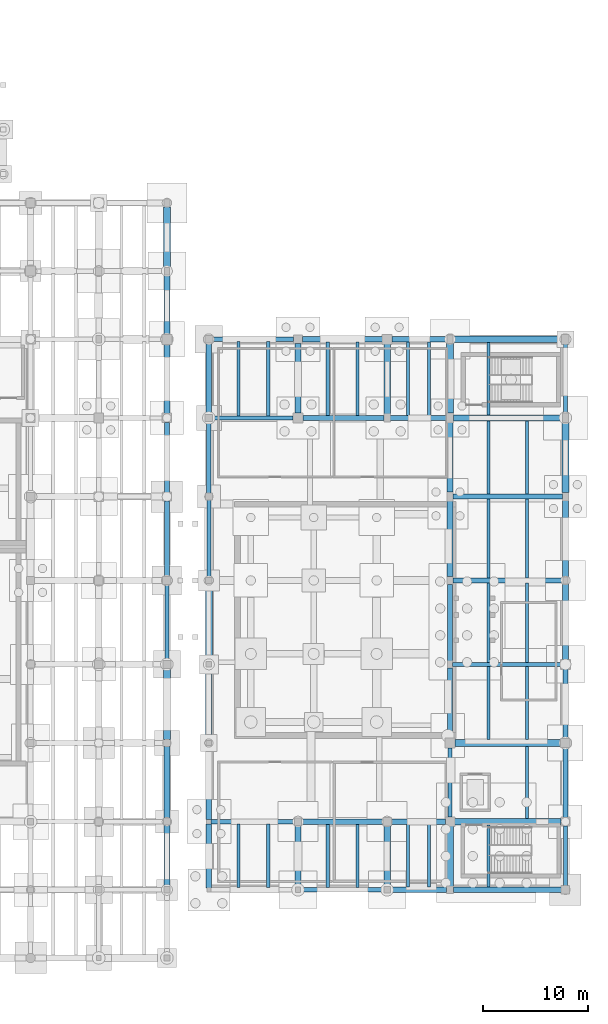
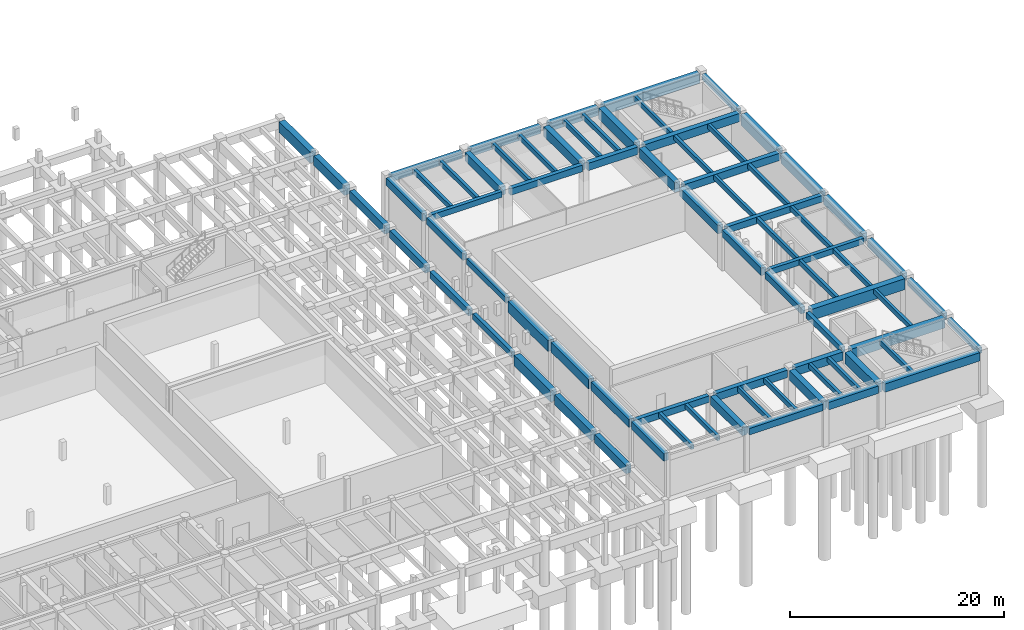
# One storey, part 26 of 36: 76 beams.
"""IFC4 building model written with IfcOpenShell, lengths in metres."""

from ifc_helpers import new_model, si_unit, direction, frame, origin, origin_2d, place, context, subcontext, project, spatial, rectangle, extrude, material, material_profile, profile_set, type_object, element, save


model = new_model("IFC4")

# Units and contexts
model_context = context("Model", 3, precision=1e-05, world=origin(), true_north=direction((0.0, 1.0)))
body_context = subcontext(model_context, "Body", "Model", "MODEL_VIEW")
ifc_project = project(units=[si_unit("LENGTHUNIT", "METRE"), si_unit("AREAUNIT", "SQUARE_METRE"), si_unit("VOLUMEUNIT", "CUBIC_METRE"), si_unit("PLANEANGLEUNIT", "RADIAN"), si_unit("MASSUNIT", "GRAM", prefix="KILO"), si_unit("THERMODYNAMICTEMPERATUREUNIT", "KELVIN"), si_unit("POWERUNIT", "WATT")], contexts=[model_context])

# Site, building, storey
site_placement = place(None, origin())
site = spatial("IfcSite", under=ifc_project, at=site_placement, CompositionType="ELEMENT")
building_placement = place(site_placement, origin())
building = spatial("IfcBuilding", under=site, at=building_placement, Name="Tepalcoro Natatorium and Aquatics Centre", CompositionType="ELEMENT")
storey_placement = place(building_placement, frame((0.0, 0.0, -5.199951171875)))
storey = spatial("IfcBuildingStorey", under=building, at=storey_placement, Name="B1", CompositionType="ELEMENT", Elevation=-5.199951171875)

# Beams
ifc_material = material(Name="Concrete C40/50 (fc 40 MPa)", Category="concrete")
ifc_material_profile_1 = material_profile(ifc_material, rectangle(XDim=0.39990234375, YDim=0.64990234375, at=origin_2d()), Name="RCB400x650")
ifc_profile_set_1 = profile_set([ifc_material_profile_1], Name="Concrete C40/50 (fc 40 MPa)")
beam_type_1 = type_object("IfcBeamType", Name="BM_RC_400x650", PredefinedType="BEAM", material=ifc_profile_set_1)
beam_1_placement = place(storey_placement, frame((138.0, 28.360107421875, 4.43994140625), z_axis=(0.0, 1.0, 0.0), x_axis=(-1.0, 0.0, 0.0)))
element("IfcBeam", 1, at=beam_1_placement, inside=storey, type_object=beam_type_1, Name="V1 B1 Grid Girder Y", PredefinedType="BEAM", context=body_context, shape_type="SweptSolid", body=[
    extrude(rectangle(XDim=0.39990234375, YDim=0.64990234375, at=origin_2d()), origin(), (0.0, 0.0, 1.0), 7.2548828125),
])
beam_2_placement = place(storey_placement, frame((165.235107421875, 28.0, 4.579833984375), z_axis=(1.0, 0.0, 0.0), x_axis=(0.0, 1.0, 0.0)))
element("IfcBeam", 2, at=beam_2_placement, inside=storey, type_object=beam_type_1, Name="V2 B1 Grid Girder X", PredefinedType="BEAM", context=body_context, shape_type="SweptSolid", body=[
    extrude(rectangle(XDim=0.39990234375, YDim=0.64990234375, at=origin_2d()), origin(), (0.0, 0.0, 1.0), 10.304931640625),
])
beam_3_placement = place(storey_placement, frame((142.3349609375, 51.5, 4.579833984375), z_axis=(1.0, 0.0, 0.0), x_axis=(0.0, 1.0, 0.0)))
element("IfcBeam", 3, at=beam_3_placement, inside=storey, type_object=beam_type_1, Name="V2 B1 Grid Girder X", PredefinedType="BEAM", context=body_context, shape_type="SweptSolid", body=[
    extrude(rectangle(XDim=0.39990234375, YDim=0.64990234375, at=origin_2d()), origin(), (0.0, 0.0, 1.0), 7.705078125),
])
beam_4_placement = place(storey_placement, frame((142.0, 36.284912109375, 4.43994140625), z_axis=(0.0, 1.0, 0.0), x_axis=(-1.0, 0.0, 0.0)))
element("IfcBeam", 4, at=beam_4_placement, inside=storey, type_object=beam_type_1, Name="V2 B1 Grid Girder Y", PredefinedType="BEAM", context=body_context, shape_type="SweptSolid", body=[
    extrude(rectangle(XDim=0.39990234375, YDim=0.64990234375, at=origin_2d()), origin(), (0.0, 0.0, 1.0), 7.405029296875),
])
beam_5_placement = place(storey_placement, frame((165.0, 13.43505859375, 4.579833984375), z_axis=(0.0, 1.0, 0.0), x_axis=(-1.0, 0.0, 0.0)))
element("IfcBeam", 5, at=beam_5_placement, inside=storey, type_object=beam_type_1, Name="V2 B1 Grid Girder Y", PredefinedType="BEAM", context=body_context, shape_type="SweptSolid", body=[
    extrude(rectangle(XDim=0.39990234375, YDim=0.64990234375, at=origin_2d()), origin(), (0.0, 0.0, 1.0), 6.60498046875),
])
beam_6_placement = place(storey_placement, frame((176.0, 6.885009765625, 4.579833984375), z_axis=(0.0, 1.0, 0.0), x_axis=(-1.0, 0.0, 0.0)))
element("IfcBeam", 6, at=beam_6_placement, inside=storey, type_object=beam_type_1, Name="V2 B1 Grid Girder Y", PredefinedType="BEAM", context=body_context, shape_type="SweptSolid", body=[
    extrude(rectangle(XDim=0.39990234375, YDim=0.64990234375, at=origin_2d()), origin(), (0.0, 0.0, 1.0), 5.705078125),
])
beam_7_placement = place(storey_placement, frame((176.0, 51.93505859375, 4.579833984375), z_axis=(0.0, 1.0, 0.0), x_axis=(-1.0, 0.0, 0.0)))
element("IfcBeam", 7, at=beam_7_placement, inside=storey, type_object=beam_type_1, Name="V2 B1 Grid Girder Y", PredefinedType="BEAM", context=body_context, shape_type="SweptSolid", body=[
    extrude(rectangle(XDim=0.39990234375, YDim=0.64990234375, at=origin_2d()), origin(), (0.0, 0.0, 1.0), 6.60498046875),
])
ifc_material_profile_2 = material_profile(ifc_material, rectangle(XDim=0.449951171875, YDim=0.75, at=origin_2d()), Name="RCB450x750")
ifc_profile_set_2 = profile_set([ifc_material_profile_2], Name="Concrete C40/50 (fc 40 MPa)")
beam_type_2 = type_object("IfcBeamType", Name="BM_RC_450x750", PredefinedType="BEAM", material=ifc_profile_set_2)
beam_8_placement = place(storey_placement, frame((138.0, 36.385009765625, 4.389892578125), z_axis=(0.0, 1.0, 0.0), x_axis=(-1.0, 0.0, 0.0)))
element("IfcBeam", 8, at=beam_8_placement, inside=storey, type_object=beam_type_2, Name="V1 B1 Grid Girder Y", PredefinedType="BEAM", context=body_context, shape_type="SweptSolid", body=[
    extrude(rectangle(XDim=0.449951171875, YDim=0.75, at=origin_2d()), origin(), (0.0, 0.0, 1.0), 7.205078125),
])
beam_9_placement = place(storey_placement, frame((150.735107421875, 6.5, 4.530029296875), z_axis=(1.0, 0.0, 0.0), x_axis=(0.0, 1.0, 0.0)))
element("IfcBeam", 9, at=beam_9_placement, inside=storey, type_object=beam_type_2, Name="V2 B1 Grid Girder X", PredefinedType="BEAM", context=body_context, shape_type="SweptSolid", body=[
    extrude(rectangle(XDim=0.449951171875, YDim=0.75, at=origin_2d()), origin(), (0.0, 0.0, 1.0), 7.97998046875),
])
beam_10_placement = place(storey_placement, frame((142.2099609375, 13.0, 4.530029296875), z_axis=(1.0, 0.0, 0.0), x_axis=(0.0, 1.0, 0.0)))
element("IfcBeam", 10, at=beam_10_placement, inside=storey, type_object=beam_type_2, Name="V2 B1 Grid Girder X", PredefinedType="BEAM", context=body_context, shape_type="SweptSolid", body=[
    extrude(rectangle(XDim=0.449951171875, YDim=0.75, at=origin_2d()), origin(), (0.0, 0.0, 1.0), 7.955078125),
])
beam_11_placement = place(storey_placement, frame((165.284912109375, 36.0, 4.530029296875), z_axis=(1.0, 0.0, 0.0), x_axis=(0.0, 1.0, 0.0)))
element("IfcBeam", 11, at=beam_11_placement, inside=storey, type_object=beam_type_2, Name="V2 B1 Grid Girder X", PredefinedType="BEAM", context=body_context, shape_type="SweptSolid", body=[
    extrude(rectangle(XDim=0.449951171875, YDim=0.75, at=origin_2d()), origin(), (0.0, 0.0, 1.0), 10.47998046875),
])
beam_12_placement = place(storey_placement, frame((150.9599609375, 51.5, 4.530029296875), z_axis=(1.0, 0.0, 0.0), x_axis=(0.0, 1.0, 0.0)))
element("IfcBeam", 12, at=beam_12_placement, inside=storey, type_object=beam_type_2, Name="V2 B1 Grid Girder X", PredefinedType="BEAM", context=body_context, shape_type="SweptSolid", body=[
    extrude(rectangle(XDim=0.449951171875, YDim=0.75, at=origin_2d()), origin(), (0.0, 0.0, 1.0), 7.755126953125),
])
beam_13_placement = place(storey_placement, frame((142.360107421875, 59.0, 4.530029296875), z_axis=(1.0, 0.0, 0.0), x_axis=(0.0, 1.0, 0.0)))
element("IfcBeam", 13, at=beam_13_placement, inside=storey, type_object=beam_type_2, Name="V2 B1 Grid Girder X", PredefinedType="BEAM", context=body_context, shape_type="SweptSolid", body=[
    extrude(rectangle(XDim=0.449951171875, YDim=0.75, at=origin_2d()), origin(), (0.0, 0.0, 1.0), 7.72998046875),
])
beam_14_placement = place(storey_placement, frame((142.0, 44.31005859375, 4.530029296875), z_axis=(0.0, 1.0, 0.0), x_axis=(-1.0, 0.0, 0.0)))
element("IfcBeam", 14, at=beam_14_placement, inside=storey, type_object=beam_type_2, Name="V2 B1 Grid Girder Y", PredefinedType="BEAM", context=body_context, shape_type="SweptSolid", body=[
    extrude(rectangle(XDim=0.449951171875, YDim=0.75, at=origin_2d()), origin(), (0.0, 0.0, 1.0), 6.85498046875),
])
beam_15_placement = place(storey_placement, frame((165.0, 20.9599609375, 4.530029296875), z_axis=(0.0, 1.0, 0.0), x_axis=(-1.0, 0.0, 0.0)))
element("IfcBeam", 15, at=beam_15_placement, inside=storey, type_object=beam_type_2, Name="V2 B1 Grid Girder Y", PredefinedType="BEAM", context=body_context, shape_type="SweptSolid", body=[
    extrude(rectangle(XDim=0.449951171875, YDim=0.75, at=origin_2d()), origin(), (0.0, 0.0, 1.0), 6.705078125),
])
beam_16_placement = place(storey_placement, frame((176.0, 13.409912109375, 4.530029296875), z_axis=(0.0, 1.0, 0.0), x_axis=(-1.0, 0.0, 0.0)))
element("IfcBeam", 16, at=beam_16_placement, inside=storey, type_object=beam_type_2, Name="V2 B1 Grid Girder Y", PredefinedType="BEAM", context=body_context, shape_type="SweptSolid", body=[
    extrude(rectangle(XDim=0.449951171875, YDim=0.75, at=origin_2d()), origin(), (0.0, 0.0, 1.0), 6.655029296875),
])
ifc_material_profile_3 = material_profile(ifc_material, rectangle(XDim=0.5, YDim=0.85009765625, at=origin_2d()), Name="RCB500x850")
ifc_profile_set_3 = profile_set([ifc_material_profile_3], Name="Concrete C40/50 (fc 40 MPa)")
beam_type_3 = type_object("IfcBeamType", Name="BM_RC_500x850", PredefinedType="BEAM", material=ifc_profile_set_3)
beam_17_placement = place(storey_placement, frame((138.0, 44.409912109375, 4.47998046875), z_axis=(0.0, 1.0, 0.0), x_axis=(-1.0, 0.0, 0.0)))
element("IfcBeam", 17, at=beam_17_placement, inside=storey, type_object=beam_type_3, Name="V1 B1 Grid Girder Y", PredefinedType="BEAM", context=body_context, shape_type="SweptSolid", body=[
    extrude(rectangle(XDim=0.5, YDim=0.85009765625, at=origin_2d()), origin(), (0.0, 0.0, 1.0), 6.655029296875),
])
beam_18_placement = place(storey_placement, frame((159.284912109375, 6.5, 4.47998046875), z_axis=(1.0, 0.0, 0.0), x_axis=(0.0, 1.0, 0.0)))
element("IfcBeam", 18, at=beam_18_placement, inside=storey, type_object=beam_type_3, Name="V2 B1 Grid Girder X", PredefinedType="BEAM", context=body_context, shape_type="SweptSolid", body=[
    extrude(rectangle(XDim=0.5, YDim=0.85009765625, at=origin_2d()), origin(), (0.0, 0.0, 1.0), 5.380126953125),
])
beam_19_placement = place(storey_placement, frame((150.8349609375, 13.0, 4.47998046875), z_axis=(1.0, 0.0, 0.0), x_axis=(0.0, 1.0, 0.0)))
element("IfcBeam", 19, at=beam_19_placement, inside=storey, type_object=beam_type_3, Name="V2 B1 Grid Girder X", PredefinedType="BEAM", context=body_context, shape_type="SweptSolid", body=[
    extrude(rectangle(XDim=0.5, YDim=0.85009765625, at=origin_2d()), origin(), (0.0, 0.0, 1.0), 7.780029296875),
])
beam_20_placement = place(storey_placement, frame((165.284912109375, 44.0, 4.47998046875), z_axis=(1.0, 0.0, 0.0), x_axis=(0.0, 1.0, 0.0)))
element("IfcBeam", 20, at=beam_20_placement, inside=storey, type_object=beam_type_3, Name="V2 B1 Grid Girder X", PredefinedType="BEAM", context=body_context, shape_type="SweptSolid", body=[
    extrude(rectangle(XDim=0.5, YDim=0.85009765625, at=origin_2d()), origin(), (0.0, 0.0, 1.0), 10.43017578125),
])
beam_21_placement = place(storey_placement, frame((159.284912109375, 51.5, 4.47998046875), z_axis=(1.0, 0.0, 0.0), x_axis=(0.0, 1.0, 0.0)))
element("IfcBeam", 21, at=beam_21_placement, inside=storey, type_object=beam_type_3, Name="V2 B1 Grid Girder X", PredefinedType="BEAM", context=body_context, shape_type="SweptSolid", body=[
    extrude(rectangle(XDim=0.5, YDim=0.85009765625, at=origin_2d()), origin(), (0.0, 0.0, 1.0), 5.380126953125),
])
beam_22_placement = place(storey_placement, frame((150.909912109375, 59.0, 4.47998046875), z_axis=(1.0, 0.0, 0.0), x_axis=(0.0, 1.0, 0.0)))
element("IfcBeam", 22, at=beam_22_placement, inside=storey, type_object=beam_type_3, Name="V2 B1 Grid Girder X", PredefinedType="BEAM", context=body_context, shape_type="SweptSolid", body=[
    extrude(rectangle(XDim=0.5, YDim=0.85009765625, at=origin_2d()), origin(), (0.0, 0.0, 1.0), 7.630126953125),
])
beam_23_placement = place(storey_placement, frame((142.0, 6.68505859375, 4.47998046875), z_axis=(0.0, 1.0, 0.0), x_axis=(-1.0, 0.0, 0.0)))
element("IfcBeam", 23, at=beam_23_placement, inside=storey, type_object=beam_type_3, Name="V2 B1 Grid Girder Y", PredefinedType="BEAM", context=body_context, shape_type="SweptSolid", body=[
    extrude(rectangle(XDim=0.5, YDim=0.85009765625, at=origin_2d()), origin(), (0.0, 0.0, 1.0), 6.10498046875),
])
beam_24_placement = place(storey_placement, frame((142.0, 51.8349609375, 4.47998046875), z_axis=(0.0, 1.0, 0.0), x_axis=(-1.0, 0.0, 0.0)))
element("IfcBeam", 24, at=beam_24_placement, inside=storey, type_object=beam_type_3, Name="V2 B1 Grid Girder Y", PredefinedType="BEAM", context=body_context, shape_type="SweptSolid", body=[
    extrude(rectangle(XDim=0.5, YDim=0.85009765625, at=origin_2d()), origin(), (0.0, 0.0, 1.0), 6.804931640625),
])
beam_25_placement = place(storey_placement, frame((165.0, 28.3349609375, 4.47998046875), z_axis=(0.0, 1.0, 0.0), x_axis=(-1.0, 0.0, 0.0)))
element("IfcBeam", 25, at=beam_25_placement, inside=storey, type_object=beam_type_3, Name="V2 B1 Grid Girder Y", PredefinedType="BEAM", context=body_context, shape_type="SweptSolid", body=[
    extrude(rectangle(XDim=0.5, YDim=0.85009765625, at=origin_2d()), origin(), (0.0, 0.0, 1.0), 7.280029296875),
])
beam_26_placement = place(storey_placement, frame((176.0, 20.93505859375, 4.47998046875), z_axis=(0.0, 1.0, 0.0), x_axis=(-1.0, 0.0, 0.0)))
element("IfcBeam", 26, at=beam_26_placement, inside=storey, type_object=beam_type_3, Name="V2 B1 Grid Girder Y", PredefinedType="BEAM", context=body_context, shape_type="SweptSolid", body=[
    extrude(rectangle(XDim=0.5, YDim=0.85009765625, at=origin_2d()), origin(), (0.0, 0.0, 1.0), 6.60498046875),
])
ifc_material_profile_4 = material_profile(ifc_material, rectangle(XDim=0.550048828125, YDim=0.949951171875, at=origin_2d()), Name="RCB550x950")
ifc_profile_set_4 = profile_set([ifc_material_profile_4], Name="Concrete C40/50 (fc 40 MPa)")
beam_type_4 = type_object("IfcBeamType", Name="BM_RC_550x950", PredefinedType="BEAM", material=ifc_profile_set_4)
beam_27_placement = place(storey_placement, frame((138.0, 6.784912109375, 4.429931640625), z_axis=(0.0, 1.0, 0.0), x_axis=(-1.0, 0.0, 0.0)))
element("IfcBeam", 27, at=beam_27_placement, inside=storey, type_object=beam_type_4, Name="V1 B1 Grid Girder Y", PredefinedType="BEAM", context=body_context, shape_type="SweptSolid", body=[
    extrude(rectangle(XDim=0.550048828125, YDim=0.949951171875, at=origin_2d()), origin(), (0.0, 0.0, 1.0), 5.905029296875),
])
beam_28_placement = place(storey_placement, frame((138.0, 51.93505859375, 4.429931640625), z_axis=(0.0, 1.0, 0.0), x_axis=(-1.0, 0.0, 0.0)))
element("IfcBeam", 28, at=beam_28_placement, inside=storey, type_object=beam_type_4, Name="V1 B1 Grid Girder Y", PredefinedType="BEAM", context=body_context, shape_type="SweptSolid", body=[
    extrude(rectangle(XDim=0.550048828125, YDim=0.949951171875, at=origin_2d()), origin(), (0.0, 0.0, 1.0), 6.60498046875),
])
beam_29_placement = place(storey_placement, frame((165.3349609375, 6.5, 4.429931640625), z_axis=(1.0, 0.0, 0.0), x_axis=(0.0, 1.0, 0.0)))
element("IfcBeam", 29, at=beam_29_placement, inside=storey, type_object=beam_type_4, Name="V2 B1 Grid Girder X", PredefinedType="BEAM", context=body_context, shape_type="SweptSolid", body=[
    extrude(rectangle(XDim=0.550048828125, YDim=0.949951171875, at=origin_2d()), origin(), (0.0, 0.0, 1.0), 10.280029296875),
])
beam_30_placement = place(storey_placement, frame((159.385009765625, 13.0, 4.429931640625), z_axis=(1.0, 0.0, 0.0), x_axis=(0.0, 1.0, 0.0)))
element("IfcBeam", 30, at=beam_30_placement, inside=storey, type_object=beam_type_4, Name="V2 B1 Grid Girder X", PredefinedType="BEAM", context=body_context, shape_type="SweptSolid", body=[
    extrude(rectangle(XDim=0.550048828125, YDim=0.949951171875, at=origin_2d()), origin(), (0.0, 0.0, 1.0), 5.179931640625),
])
beam_31_placement = place(storey_placement, frame((165.3349609375, 51.5, 4.429931640625), z_axis=(1.0, 0.0, 0.0), x_axis=(0.0, 1.0, 0.0)))
element("IfcBeam", 31, at=beam_31_placement, inside=storey, type_object=beam_type_4, Name="V2 B1 Grid Girder X", PredefinedType="BEAM", context=body_context, shape_type="SweptSolid", body=[
    extrude(rectangle(XDim=0.550048828125, YDim=0.949951171875, at=origin_2d()), origin(), (0.0, 0.0, 1.0), 10.380126953125),
])
beam_32_placement = place(storey_placement, frame((159.4599609375, 59.0, 4.429931640625), z_axis=(1.0, 0.0, 0.0), x_axis=(0.0, 1.0, 0.0)))
element("IfcBeam", 32, at=beam_32_placement, inside=storey, type_object=beam_type_4, Name="V2 B1 Grid Girder X", PredefinedType="BEAM", context=body_context, shape_type="SweptSolid", body=[
    extrude(rectangle(XDim=0.550048828125, YDim=0.949951171875, at=origin_2d()), origin(), (0.0, 0.0, 1.0), 5.255126953125),
])
beam_33_placement = place(storey_placement, frame((142.0, 13.2099609375, 4.429931640625), z_axis=(0.0, 1.0, 0.0), x_axis=(-1.0, 0.0, 0.0)))
element("IfcBeam", 33, at=beam_33_placement, inside=storey, type_object=beam_type_4, Name="V2 B1 Grid Girder Y", PredefinedType="BEAM", context=body_context, shape_type="SweptSolid", body=[
    extrude(rectangle(XDim=0.550048828125, YDim=0.949951171875, at=origin_2d()), origin(), (0.0, 0.0, 1.0), 7.054931640625),
])
beam_34_placement = place(storey_placement, frame((150.5, 6.735107421875, 4.429931640625), z_axis=(0.0, 1.0, 0.0), x_axis=(-1.0, 0.0, 0.0)))
element("IfcBeam", 34, at=beam_34_placement, inside=storey, type_object=beam_type_4, Name="V2 B1 Grid Girder Y", PredefinedType="BEAM", context=body_context, shape_type="SweptSolid", body=[
    extrude(rectangle(XDim=0.550048828125, YDim=0.949951171875, at=origin_2d()), origin(), (0.0, 0.0, 1.0), 5.929931640625),
])
beam_35_placement = place(storey_placement, frame((150.5, 51.9599609375, 4.429931640625), z_axis=(0.0, 1.0, 0.0), x_axis=(-1.0, 0.0, 0.0)))
element("IfcBeam", 35, at=beam_35_placement, inside=storey, type_object=beam_type_4, Name="V2 B1 Grid Girder Y", PredefinedType="BEAM", context=body_context, shape_type="SweptSolid", body=[
    extrude(rectangle(XDim=0.550048828125, YDim=0.949951171875, at=origin_2d()), origin(), (0.0, 0.0, 1.0), 6.630126953125),
])
beam_36_placement = place(storey_placement, frame((165.0, 36.385009765625, 4.429931640625), z_axis=(0.0, 1.0, 0.0), x_axis=(-1.0, 0.0, 0.0)))
element("IfcBeam", 36, at=beam_36_placement, inside=storey, type_object=beam_type_4, Name="V2 B1 Grid Girder Y", PredefinedType="BEAM", context=body_context, shape_type="SweptSolid", body=[
    extrude(rectangle(XDim=0.550048828125, YDim=0.949951171875, at=origin_2d()), origin(), (0.0, 0.0, 1.0), 7.179931640625),
])
beam_37_placement = place(storey_placement, frame((176.0, 28.4599609375, 4.429931640625), z_axis=(0.0, 1.0, 0.0), x_axis=(-1.0, 0.0, 0.0)))
element("IfcBeam", 37, at=beam_37_placement, inside=storey, type_object=beam_type_4, Name="V2 B1 Grid Girder Y", PredefinedType="BEAM", context=body_context, shape_type="SweptSolid", body=[
    extrude(rectangle(XDim=0.550048828125, YDim=0.949951171875, at=origin_2d()), origin(), (0.0, 0.0, 1.0), 7.205078125),
])
ifc_material_profile_5 = material_profile(ifc_material, rectangle(XDim=0.60009765625, YDim=1.10009765625, at=origin_2d()), Name="RCB600x1100")
ifc_profile_set_5 = profile_set([ifc_material_profile_5], Name="Concrete C40/50 (fc 40 MPa)")
beam_type_5 = type_object("IfcBeamType", Name="BM_RC_600x1100", PredefinedType="BEAM", material=ifc_profile_set_5)
beam_38_placement = place(storey_placement, frame((138.0, 13.31005859375, 4.35498046875), z_axis=(0.0, 1.0, 0.0), x_axis=(-1.0, 0.0, 0.0)))
element("IfcBeam", 38, at=beam_38_placement, inside=storey, type_object=beam_type_5, Name="V1 B1 Grid Girder Y", PredefinedType="BEAM", context=body_context, shape_type="SweptSolid", body=[
    extrude(rectangle(XDim=0.60009765625, YDim=1.10009765625, at=origin_2d()), origin(), (0.0, 0.0, 1.0), 6.85498046875),
])
beam_39_placement = place(storey_placement, frame((138.0, 59.4599609375, 4.35498046875), z_axis=(0.0, 1.0, 0.0), x_axis=(-1.0, 0.0, 0.0)))
element("IfcBeam", 39, at=beam_39_placement, inside=storey, type_object=beam_type_5, Name="V1 B1 Grid Girder Y", PredefinedType="BEAM", context=body_context, shape_type="SweptSolid", body=[
    extrude(rectangle(XDim=0.60009765625, YDim=1.10009765625, at=origin_2d()), origin(), (0.0, 0.0, 1.0), 5.705078125),
])
beam_40_placement = place(storey_placement, frame((165.43505859375, 13.0, 4.35498046875), z_axis=(1.0, 0.0, 0.0), x_axis=(0.0, 1.0, 0.0)))
element("IfcBeam", 40, at=beam_40_placement, inside=storey, type_object=beam_type_5, Name="V2 B1 Grid Girder X", PredefinedType="BEAM", context=body_context, shape_type="SweptSolid", body=[
    extrude(rectangle(XDim=0.60009765625, YDim=1.10009765625, at=origin_2d()), origin(), (0.0, 0.0, 1.0), 10.155029296875),
])
beam_41_placement = place(storey_placement, frame((165.284912109375, 59.0, 4.35498046875), z_axis=(1.0, 0.0, 0.0), x_axis=(0.0, 1.0, 0.0)))
element("IfcBeam", 41, at=beam_41_placement, inside=storey, type_object=beam_type_5, Name="V2 B1 Grid Girder X", PredefinedType="BEAM", context=body_context, shape_type="SweptSolid", body=[
    extrude(rectangle(XDim=0.60009765625, YDim=1.10009765625, at=origin_2d()), origin(), (0.0, 0.0, 1.0), 10.380126953125),
])
beam_42_placement = place(storey_placement, frame((142.0, 20.735107421875, 4.35498046875), z_axis=(0.0, 1.0, 0.0), x_axis=(-1.0, 0.0, 0.0)))
element("IfcBeam", 42, at=beam_42_placement, inside=storey, type_object=beam_type_5, Name="V2 B1 Grid Girder Y", PredefinedType="BEAM", context=body_context, shape_type="SweptSolid", body=[
    extrude(rectangle(XDim=0.60009765625, YDim=1.10009765625, at=origin_2d()), origin(), (0.0, 0.0, 1.0), 7.0048828125),
])
beam_43_placement = place(storey_placement, frame((159.0, 6.784912109375, 4.35498046875), z_axis=(0.0, 1.0, 0.0), x_axis=(-1.0, 0.0, 0.0)))
element("IfcBeam", 43, at=beam_43_placement, inside=storey, type_object=beam_type_5, Name="V2 B1 Grid Girder Y", PredefinedType="BEAM", context=body_context, shape_type="SweptSolid", body=[
    extrude(rectangle(XDim=0.60009765625, YDim=1.10009765625, at=origin_2d()), origin(), (0.0, 0.0, 1.0), 5.830078125),
])
beam_44_placement = place(storey_placement, frame((159.0, 51.885009765625, 4.35498046875), z_axis=(0.0, 1.0, 0.0), x_axis=(-1.0, 0.0, 0.0)))
element("IfcBeam", 44, at=beam_44_placement, inside=storey, type_object=beam_type_5, Name="V2 B1 Grid Girder Y", PredefinedType="BEAM", context=body_context, shape_type="SweptSolid", body=[
    extrude(rectangle(XDim=0.60009765625, YDim=1.10009765625, at=origin_2d()), origin(), (0.0, 0.0, 1.0), 6.655029296875),
])
beam_45_placement = place(storey_placement, frame((165.0, 44.43505859375, 4.35498046875), z_axis=(0.0, 1.0, 0.0), x_axis=(-1.0, 0.0, 0.0)))
element("IfcBeam", 45, at=beam_45_placement, inside=storey, type_object=beam_type_5, Name="V2 B1 Grid Girder Y", PredefinedType="BEAM", context=body_context, shape_type="SweptSolid", body=[
    extrude(rectangle(XDim=0.60009765625, YDim=1.10009765625, at=origin_2d()), origin(), (0.0, 0.0, 1.0), 6.60498046875),
])
beam_46_placement = place(storey_placement, frame((176.0, 36.3349609375, 4.35498046875), z_axis=(0.0, 1.0, 0.0), x_axis=(-1.0, 0.0, 0.0)))
element("IfcBeam", 46, at=beam_46_placement, inside=storey, type_object=beam_type_5, Name="V2 B1 Grid Girder Y", PredefinedType="BEAM", context=body_context, shape_type="SweptSolid", body=[
    extrude(rectangle(XDim=0.60009765625, YDim=1.10009765625, at=origin_2d()), origin(), (0.0, 0.0, 1.0), 7.280029296875),
])
ifc_material_profile_6 = material_profile(ifc_material, rectangle(XDim=0.64990234375, YDim=1.25, at=origin_2d()), Name="RCB650x1250")
ifc_profile_set_6 = profile_set([ifc_material_profile_6], Name="Concrete C40/50 (fc 40 MPa)")
beam_type_6 = type_object("IfcBeamType", Name="BM_RC_650x1250", PredefinedType="BEAM", material=ifc_profile_set_6)
beam_47_placement = place(storey_placement, frame((138.0, 20.8349609375, 4.280029296875), z_axis=(0.0, 1.0, 0.0), x_axis=(-1.0, 0.0, 0.0)))
element("IfcBeam", 47, at=beam_47_placement, inside=storey, type_object=beam_type_6, Name="V1 B1 Grid Girder Y", PredefinedType="BEAM", context=body_context, shape_type="SweptSolid", body=[
    extrude(rectangle(XDim=0.64990234375, YDim=1.25, at=origin_2d()), origin(), (0.0, 0.0, 1.0), 6.804931640625),
])
beam_48_placement = place(storey_placement, frame((138.0, 65.8349609375, 4.280029296875), z_axis=(0.0, 1.0, 0.0), x_axis=(-1.0, 0.0, 0.0)))
element("IfcBeam", 48, at=beam_48_placement, inside=storey, type_object=beam_type_6, Name="V1 B1 Grid Girder Y", PredefinedType="BEAM", context=body_context, shape_type="SweptSolid", body=[
    extrude(rectangle(XDim=0.64990234375, YDim=1.25, at=origin_2d()), origin(), (0.0, 0.0, 1.0), 5.780029296875),
])
beam_49_placement = place(storey_placement, frame((165.4599609375, 20.5, 4.280029296875), z_axis=(1.0, 0.0, 0.0), x_axis=(0.0, 1.0, 0.0)))
element("IfcBeam", 49, at=beam_49_placement, inside=storey, type_object=beam_type_6, Name="V2 B1 Grid Girder X", PredefinedType="BEAM", context=body_context, shape_type="SweptSolid", body=[
    extrude(rectangle(XDim=0.64990234375, YDim=1.25, at=origin_2d()), origin(), (0.0, 0.0, 1.0), 10.10498046875),
])
beam_50_placement = place(storey_placement, frame((142.0, 28.260009765625, 4.139892578125), z_axis=(0.0, 1.0, 0.0), x_axis=(-1.0, 0.0, 0.0)))
element("IfcBeam", 50, at=beam_50_placement, inside=storey, type_object=beam_type_6, Name="V2 B1 Grid Girder Y", PredefinedType="BEAM", context=body_context, shape_type="SweptSolid", body=[
    extrude(rectangle(XDim=0.64990234375, YDim=1.25, at=origin_2d()), origin(), (0.0, 0.0, 1.0), 7.455078125),
])
beam_51_placement = place(storey_placement, frame((165.0, 6.8349609375, 4.280029296875), z_axis=(0.0, 1.0, 0.0), x_axis=(-1.0, 0.0, 0.0)))
element("IfcBeam", 51, at=beam_51_placement, inside=storey, type_object=beam_type_6, Name="V2 B1 Grid Girder Y", PredefinedType="BEAM", context=body_context, shape_type="SweptSolid", body=[
    extrude(rectangle(XDim=0.64990234375, YDim=1.25, at=origin_2d()), origin(), (0.0, 0.0, 1.0), 5.72998046875),
])
beam_52_placement = place(storey_placement, frame((165.0, 51.9599609375, 4.280029296875), z_axis=(0.0, 1.0, 0.0), x_axis=(-1.0, 0.0, 0.0)))
element("IfcBeam", 52, at=beam_52_placement, inside=storey, type_object=beam_type_6, Name="V2 B1 Grid Girder Y", PredefinedType="BEAM", context=body_context, shape_type="SweptSolid", body=[
    extrude(rectangle(XDim=0.64990234375, YDim=1.25, at=origin_2d()), origin(), (0.0, 0.0, 1.0), 6.655029296875),
])
beam_53_placement = place(storey_placement, frame((176.0, 44.385009765625, 4.280029296875), z_axis=(0.0, 1.0, 0.0), x_axis=(-1.0, 0.0, 0.0)))
element("IfcBeam", 53, at=beam_53_placement, inside=storey, type_object=beam_type_6, Name="V2 B1 Grid Girder Y", PredefinedType="BEAM", context=body_context, shape_type="SweptSolid", body=[
    extrude(rectangle(XDim=0.64990234375, YDim=1.25, at=origin_2d()), origin(), (0.0, 0.0, 1.0), 6.679931640625),
])
ifc_material_profile_7 = material_profile(ifc_material, rectangle(XDim=0.300048828125, YDim=0.550048828125, at=origin_2d()), Name="RCJ300x550")
ifc_profile_set_7 = profile_set([ifc_material_profile_7], Name="Concrete C40/50 (fc 40 MPa)")
beam_type_7 = type_object("IfcBeamType", Name="JS_RC_300x550", PredefinedType="JOIST", material=ifc_profile_set_7)
for number, where, z_axis, x_axis, name in (
    (54, (144.833251953125, 6.699951171875, 4.6298828125), (0.0, 1.0, 0.0), (-1.0, 0.0, 0.0), "V2 B1 Floor Joist"),
    (55, (147.666748046875, 6.699951171875, 4.6298828125), (0.0, 1.0, 0.0), (-1.0, 0.0, 0.0), "V2 B1 Floor Joist"),
):
    element("IfcBeam", number, at=place(storey_placement, frame(where, z_axis=z_axis, x_axis=x_axis)), inside=storey, type_object=beam_type_7, Name=name, PredefinedType="JOIST", context=body_context, shape_type="SweptSolid", body=[
        extrude(rectangle(XDim=0.300048828125, YDim=0.550048828125, at=origin_2d()), origin(), (0.0, 0.0, 1.0), 6.074951171875),
    ])
for number, where, z_axis, x_axis, name in (
    (56, (144.833251953125, 51.699951171875, 4.6298828125), (0.0, 1.0, 0.0), (-1.0, 0.0, 0.0), "V2 B1 Floor Joist"),
    (57, (147.666748046875, 51.699951171875, 4.6298828125), (0.0, 1.0, 0.0), (-1.0, 0.0, 0.0), "V2 B1 Floor Joist"),
):
    element("IfcBeam", number, at=place(storey_placement, frame(where, z_axis=z_axis, x_axis=x_axis)), inside=storey, type_object=beam_type_7, Name=name, PredefinedType="JOIST", context=body_context, shape_type="SweptSolid", body=[
        extrude(rectangle(XDim=0.300048828125, YDim=0.550048828125, at=origin_2d()), origin(), (0.0, 0.0, 1.0), 7.074951171875),
    ])
for number, where, z_axis, x_axis, name in (
    (58, (153.333251953125, 6.72509765625, 4.6298828125), (0.0, 1.0, 0.0), (-1.0, 0.0, 0.0), "V2 B1 Floor Joist"),
    (59, (156.166748046875, 6.72509765625, 4.6298828125), (0.0, 1.0, 0.0), (-1.0, 0.0, 0.0), "V2 B1 Floor Joist"),
):
    element("IfcBeam", number, at=place(storey_placement, frame(where, z_axis=z_axis, x_axis=x_axis)), inside=storey, type_object=beam_type_7, Name=name, PredefinedType="JOIST", context=body_context, shape_type="SweptSolid", body=[
        extrude(rectangle(XDim=0.300048828125, YDim=0.550048828125, at=origin_2d()), origin(), (0.0, 0.0, 1.0), 6.02490234375),
    ])
for number, where, z_axis, x_axis, name in (
    (60, (153.333251953125, 51.72509765625, 4.6298828125), (0.0, 1.0, 0.0), (-1.0, 0.0, 0.0), "V2 B1 Floor Joist"),
    (61, (156.166748046875, 51.72509765625, 4.6298828125), (0.0, 1.0, 0.0), (-1.0, 0.0, 0.0), "V2 B1 Floor Joist"),
):
    element("IfcBeam", number, at=place(storey_placement, frame(where, z_axis=z_axis, x_axis=x_axis)), inside=storey, type_object=beam_type_7, Name=name, PredefinedType="JOIST", context=body_context, shape_type="SweptSolid", body=[
        extrude(rectangle(XDim=0.300048828125, YDim=0.550048828125, at=origin_2d()), origin(), (0.0, 0.0, 1.0), 7.02490234375),
    ])
for number, where, z_axis, x_axis, name in (
    (62, (161.0, 6.75, 4.6298828125), (0.0, 1.0, 0.0), (-1.0, 0.0, 0.0), "V2 B1 Floor Joist"),
    (63, (163.0, 6.75, 4.6298828125), (0.0, 1.0, 0.0), (-1.0, 0.0, 0.0), "V2 B1 Floor Joist"),
):
    element("IfcBeam", number, at=place(storey_placement, frame(where, z_axis=z_axis, x_axis=x_axis)), inside=storey, type_object=beam_type_7, Name=name, PredefinedType="JOIST", context=body_context, shape_type="SweptSolid", body=[
        extrude(rectangle(XDim=0.300048828125, YDim=0.550048828125, at=origin_2d()), origin(), (0.0, 0.0, 1.0), 5.97509765625),
    ])
for number, where, z_axis, x_axis, name in (
    (64, (161.0, 51.75, 4.6298828125), (0.0, 1.0, 0.0), (-1.0, 0.0, 0.0), "V2 B1 Floor Joist"),
    (65, (163.0, 51.75, 4.6298828125), (0.0, 1.0, 0.0), (-1.0, 0.0, 0.0), "V2 B1 Floor Joist"),
):
    element("IfcBeam", number, at=place(storey_placement, frame(where, z_axis=z_axis, x_axis=x_axis)), inside=storey, type_object=beam_type_7, Name=name, PredefinedType="JOIST", context=body_context, shape_type="SweptSolid", body=[
        extrude(rectangle(XDim=0.300048828125, YDim=0.550048828125, at=origin_2d()), origin(), (0.0, 0.0, 1.0), 6.97509765625),
    ])
beam_54_placement = place(storey_placement, frame((168.666748046875, 6.77490234375, 4.6298828125), z_axis=(0.0, 1.0, 0.0), x_axis=(-1.0, 0.0, 0.0)))
element("IfcBeam", 66, at=beam_54_placement, inside=storey, type_object=beam_type_7, Name="V2 B1 Floor Joist", PredefinedType="JOIST", context=body_context, shape_type="SweptSolid", body=[
    extrude(rectangle(XDim=0.300048828125, YDim=0.550048828125, at=origin_2d()), origin(), (0.0, 0.0, 1.0), 5.925048828125),
])
beam_55_placement = place(storey_placement, frame((172.333251953125, 13.300048828125, 4.6298828125), z_axis=(0.0, 1.0, 0.0), x_axis=(-1.0, 0.0, 0.0)))
element("IfcBeam", 67, at=beam_55_placement, inside=storey, type_object=beam_type_7, Name="V2 B1 Floor Joist", PredefinedType="JOIST", context=body_context, shape_type="SweptSolid", body=[
    extrude(rectangle(XDim=0.300048828125, YDim=0.550048828125, at=origin_2d()), origin(), (0.0, 0.0, 1.0), 6.875),
])
for number, where, z_axis, x_axis, name in (
    (68, (168.666748046875, 20.824951171875, 4.6298828125), (0.0, 1.0, 0.0), (-1.0, 0.0, 0.0), "V2 B1 Floor Joist"),
    (69, (172.333251953125, 20.824951171875, 4.6298828125), (0.0, 1.0, 0.0), (-1.0, 0.0, 0.0), "V2 B1 Floor Joist"),
):
    element("IfcBeam", number, at=place(storey_placement, frame(where, z_axis=z_axis, x_axis=x_axis)), inside=storey, type_object=beam_type_7, Name=name, PredefinedType="JOIST", context=body_context, shape_type="SweptSolid", body=[
        extrude(rectangle(XDim=0.300048828125, YDim=0.550048828125, at=origin_2d()), origin(), (0.0, 0.0, 1.0), 6.97509765625),
    ])
for number, where, z_axis, x_axis, name in (
    (70, (168.666748046875, 28.199951171875, 4.6298828125), (0.0, 1.0, 0.0), (-1.0, 0.0, 0.0), "V2 B1 Floor Joist"),
    (71, (172.333251953125, 28.199951171875, 4.6298828125), (0.0, 1.0, 0.0), (-1.0, 0.0, 0.0), "V2 B1 Floor Joist"),
):
    element("IfcBeam", number, at=place(storey_placement, frame(where, z_axis=z_axis, x_axis=x_axis)), inside=storey, type_object=beam_type_7, Name=name, PredefinedType="JOIST", context=body_context, shape_type="SweptSolid", body=[
        extrude(rectangle(XDim=0.300048828125, YDim=0.550048828125, at=origin_2d()), origin(), (0.0, 0.0, 1.0), 7.574951171875),
    ])
for number, where, z_axis, x_axis, name in (
    (72, (168.666748046875, 36.22509765625, 4.6298828125), (0.0, 1.0, 0.0), (-1.0, 0.0, 0.0), "V2 B1 Floor Joist"),
    (73, (172.333251953125, 36.22509765625, 4.6298828125), (0.0, 1.0, 0.0), (-1.0, 0.0, 0.0), "V2 B1 Floor Joist"),
):
    element("IfcBeam", number, at=place(storey_placement, frame(where, z_axis=z_axis, x_axis=x_axis)), inside=storey, type_object=beam_type_7, Name=name, PredefinedType="JOIST", context=body_context, shape_type="SweptSolid", body=[
        extrude(rectangle(XDim=0.300048828125, YDim=0.550048828125, at=origin_2d()), origin(), (0.0, 0.0, 1.0), 7.52490234375),
    ])
for number, where, z_axis, x_axis, name in (
    (74, (168.666748046875, 44.25, 4.6298828125), (0.0, 1.0, 0.0), (-1.0, 0.0, 0.0), "V2 B1 Floor Joist"),
    (75, (172.333251953125, 44.25, 4.6298828125), (0.0, 1.0, 0.0), (-1.0, 0.0, 0.0), "V2 B1 Floor Joist"),
):
    element("IfcBeam", number, at=place(storey_placement, frame(where, z_axis=z_axis, x_axis=x_axis)), inside=storey, type_object=beam_type_7, Name=name, PredefinedType="JOIST", context=body_context, shape_type="SweptSolid", body=[
        extrude(rectangle(XDim=0.300048828125, YDim=0.550048828125, at=origin_2d()), origin(), (0.0, 0.0, 1.0), 6.97509765625),
    ])
beam_56_placement = place(storey_placement, frame((168.666748046875, 51.77490234375, 4.6298828125), z_axis=(0.0, 1.0, 0.0), x_axis=(-1.0, 0.0, 0.0)))
element("IfcBeam", 76, at=beam_56_placement, inside=storey, type_object=beam_type_7, Name="V2 B1 Floor Joist", PredefinedType="JOIST", context=body_context, shape_type="SweptSolid", body=[
    extrude(rectangle(XDim=0.300048828125, YDim=0.550048828125, at=origin_2d()), origin(), (0.0, 0.0, 1.0), 6.925048828125),
])

save(model, "model.ifc")
